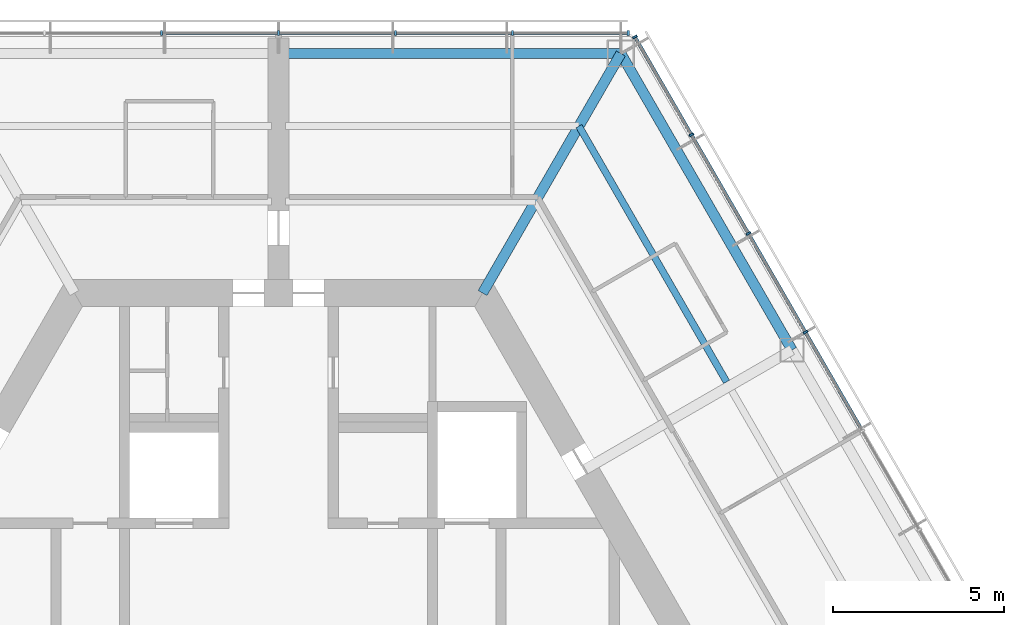
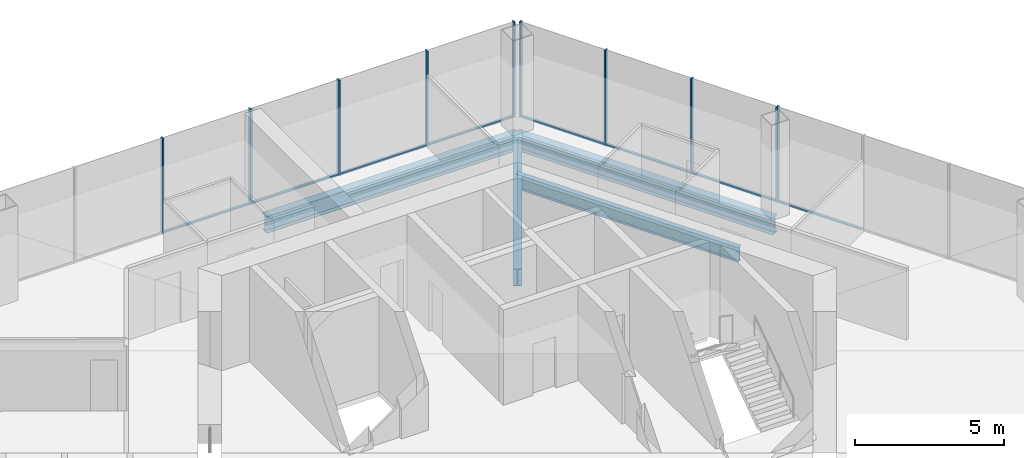
# One storey, part 7 of 16: 17 members, 4 beams, 2 elements without a shape of their own.
"""IFC4 building model written with IfcOpenShell, lengths in metres."""

from ifc_helpers import new_model, si_unit, direction, frame, origin, origin_2d, place, context, subcontext, project, spatial, rectangle, i_section, extrude, material, material_profile, profile_set, type_object, element, aggregate, save


model = new_model("IFC4")

# Units and contexts
model_context = context("Model", 3, precision=1e-05, world=origin(), true_north=direction((0.0, 1.0)))
body_context = subcontext(model_context, "Body", "Model", "MODEL_VIEW")
ifc_project = project(units=[si_unit("LENGTHUNIT", "METRE"), si_unit("AREAUNIT", "SQUARE_METRE"), si_unit("VOLUMEUNIT", "CUBIC_METRE"), si_unit("PLANEANGLEUNIT", "RADIAN"), si_unit("MASSUNIT", "GRAM", prefix="KILO")], contexts=[model_context])

# Site, building, storey
site_placement = place(None, origin())
site = spatial("IfcSite", under=ifc_project, at=site_placement, CompositionType="ELEMENT")
building_placement = place(site_placement, origin())
building = spatial("IfcBuilding", under=site, at=building_placement, Name="Kasaneha Research Tower", CompositionType="ELEMENT")
storey_placement = place(building_placement, frame((0.0, 0.0, 263.5)))
storey = spatial("IfcBuildingStorey", under=building, at=storey_placement, Name="L66", CompositionType="ELEMENT", Elevation=263.5)

# Beam
ifc_material_1 = material(Name="Steel SN490B", Category="steel")
ifc_material_profile_1 = material_profile(ifc_material_1, i_section(OverallWidth=0.199951171875, OverallDepth=0.60009765625, WebThickness=0.010986328125, FlangeThickness=0.01708984375, FilletRadius=0.012939453125, at=origin_2d()), Name="H-600x200x11x17")
ifc_profile_set_1 = profile_set([ifc_material_profile_1], Name="Steel SN490B")
beam_type_1 = type_object("IfcBeamType", Name="B1-3 secondary beam H-600x200x11x17", PredefinedType="JOIST", material=ifc_profile_set_1)
beam_1_placement = place(storey_placement, frame((8.775634765625, 15.199951171875, -0.449951171875), z_axis=(0.500017275495, -0.866015429543, 0.0), x_axis=(0.866015429543, 0.500017275495, 0.0)))
element("IfcBeam", 1, at=beam_1_placement, inside=storey, type_object=beam_type_1, Name="Secondary beam RS030R2 L66", PredefinedType="JOIST", context=body_context, shape_type="SweptSolid", body=[
    extrude(i_section(OverallWidth=0.199951171875, OverallDepth=0.60009765625, WebThickness=0.010986328125, FlangeThickness=0.01708984375, FilletRadius=0.012939453125, at=origin_2d()), origin(), (0.0, 0.0, 1.0), 8.625732421875),
])

# Curtain wall, members
ifc_material_2 = material(Name="Glass and aluminium", Category="aluminium")
curtain_wall_type = type_object("IfcCurtainWallType", Name="High-rise office curtain wall", PredefinedType="USERDEFINED", material=ifc_material_2)
curtain_wall_1_placement = place(storey_placement, origin())
curtain_wall_1 = element("IfcCurtainWall", 2, at=curtain_wall_1_placement, inside=storey, type_object=curtain_wall_type, Name="CW-O3 L66 run 01a", ObjectType="UNITISED CURTAIN WALL", PredefinedType="USERDEFINED")
ifc_material_3 = material(Name="Aluminium 6063-T6", Category="aluminium")
ifc_material_profile_2 = material_profile(ifc_material_3, rectangle(XDim=0.06005859375, YDim=0.139892578125, at=origin_2d()), Name="CW-O3 mullion 60x140")
ifc_profile_set_2 = profile_set([ifc_material_profile_2], Name="Aluminium 6063-T6")
member_type_1 = type_object("IfcMemberType", Name="CW-O3 mullion", PredefinedType="MULLION", material=ifc_profile_set_2)
member_1_placement = place(storey_placement, frame((15.392822265625, 9.179931640625, 0.0), z_axis=(0.0, 0.0, 1.0), x_axis=(-0.499999979232, 0.866025415775, 0.0)))
member_1 = element("IfcMember", 3, at=member_1_placement, type_object=member_type_1, Name="CW-O3 mullion 4", PredefinedType="MULLION", context=body_context, shape_type="SweptSolid", body=[
    extrude(rectangle(XDim=0.06005859375, YDim=0.139892578125, at=origin_2d()), origin(), (0.0, 0.0, 1.0), 3.89990234375),
])
member_2_placement = place(storey_placement, frame((13.727294921875, 12.064453125, 0.0), z_axis=(0.0, 0.0, 1.0), x_axis=(-0.499999979232, 0.866025415775, 0.0)))
member_2 = element("IfcMember", 4, at=member_2_placement, type_object=member_type_1, Name="CW-O3 mullion 5", PredefinedType="MULLION", context=body_context, shape_type="SweptSolid", body=[
    extrude(rectangle(XDim=0.06005859375, YDim=0.139892578125, at=origin_2d()), origin(), (0.0, 0.0, 1.0), 3.89990234375),
])
member_3_placement = place(storey_placement, frame((12.061767578125, 14.94921875, 0.0), z_axis=(0.0, 0.0, 1.0), x_axis=(-0.499999979232, 0.866025415775, 0.0)))
member_3 = element("IfcMember", 5, at=member_3_placement, type_object=member_type_1, Name="CW-O3 mullion 6", PredefinedType="MULLION", context=body_context, shape_type="SweptSolid", body=[
    extrude(rectangle(XDim=0.06005859375, YDim=0.139892578125, at=origin_2d()), origin(), (0.0, 0.0, 1.0), 3.89990234375),
])
member_4_placement = place(storey_placement, frame((10.411376953125, 17.807861328125, 0.0), z_axis=(0.0, 0.0, 1.0), x_axis=(-0.499999979232, 0.866025415775, 0.0)))
member_4 = element("IfcMember", 6, at=member_4_placement, type_object=member_type_1, Name="CW-O3 mullion 7", PredefinedType="MULLION", context=body_context, shape_type="SweptSolid", body=[
    extrude(rectangle(XDim=0.06005859375, YDim=0.139892578125, at=origin_2d()), origin(), (0.0, 0.0, 1.0), 3.89990234375),
])

curtain_wall_2_placement = place(storey_placement, origin())
curtain_wall_2 = element("IfcCurtainWall", 7, at=curtain_wall_2_placement, inside=storey, type_object=curtain_wall_type, Name="CW-O3 L66 run 02a", ObjectType="UNITISED CURTAIN WALL", PredefinedType="USERDEFINED")
member_5_placement = place(storey_placement, frame((10.21630859375, 17.92041015625, 0.0), z_axis=(0.0, 0.0, 1.0), x_axis=(-1.0, 0.0, 0.0)))
member_5 = element("IfcMember", 8, at=member_5_placement, type_object=member_type_1, Name="CW-O3 mullion 1", PredefinedType="MULLION", context=body_context, shape_type="SweptSolid", body=[
    extrude(rectangle(XDim=0.06005859375, YDim=0.139892578125, at=origin_2d()), origin(), (0.0, 0.0, 1.0), 3.89990234375),
])
member_6_placement = place(storey_placement, frame((6.8310546875, 17.92041015625, 0.0), z_axis=(0.0, 0.0, 1.0), x_axis=(-1.0, 0.0, 0.0)))
member_6 = element("IfcMember", 9, at=member_6_placement, type_object=member_type_1, Name="CW-O3 mullion 2", PredefinedType="MULLION", context=body_context, shape_type="SweptSolid", body=[
    extrude(rectangle(XDim=0.06005859375, YDim=0.139892578125, at=origin_2d()), origin(), (0.0, 0.0, 1.0), 3.89990234375),
])
member_7_placement = place(storey_placement, frame((3.41552734375, 17.92041015625, 0.0), z_axis=(0.0, 0.0, 1.0), x_axis=(-1.0, 0.0, 0.0)))
member_7 = element("IfcMember", 10, at=member_7_placement, type_object=member_type_1, Name="CW-O3 mullion 3", PredefinedType="MULLION", context=body_context, shape_type="SweptSolid", body=[
    extrude(rectangle(XDim=0.06005859375, YDim=0.139892578125, at=origin_2d()), origin(), (0.0, 0.0, 1.0), 3.89990234375),
])
member_8_placement = place(storey_placement, frame((0.0, 17.92041015625, 0.0), z_axis=(0.0, 0.0, 1.0), x_axis=(-1.0, 0.0, 0.0)))
member_8 = element("IfcMember", 11, at=member_8_placement, type_object=member_type_1, Name="CW-O3 mullion 4", PredefinedType="MULLION", context=body_context, shape_type="SweptSolid", body=[
    extrude(rectangle(XDim=0.06005859375, YDim=0.139892578125, at=origin_2d()), origin(), (0.0, 0.0, 1.0), 3.89990234375),
])
member_9_placement = place(storey_placement, frame((-3.41552734375, 17.92041015625, 0.0), z_axis=(0.0, 0.0, 1.0), x_axis=(-1.0, 0.0, 0.0)))
member_9 = element("IfcMember", 12, at=member_9_placement, type_object=member_type_1, Name="CW-O3 mullion 5", PredefinedType="MULLION", context=body_context, shape_type="SweptSolid", body=[
    extrude(rectangle(XDim=0.06005859375, YDim=0.139892578125, at=origin_2d()), origin(), (0.0, 0.0, 1.0), 3.89990234375),
])

# Member
ifc_material_4 = material(Name="Aluminium 6063-T6", Category="aluminium")
ifc_material_profile_3 = material_profile(ifc_material_4, rectangle(XDim=0.10009765625, YDim=0.06005859375, at=origin_2d()), Name="CW-O3 transom 100x60")
ifc_profile_set_3 = profile_set([ifc_material_profile_3], Name="Aluminium 6063-T6")
member_type_2 = type_object("IfcMemberType", Name="CW-O3 transom", PredefinedType="USERDEFINED", material=ifc_profile_set_3)
member_10_placement = place(storey_placement, frame((17.043212890625, 6.3212890625, 0.030029296875), z_axis=(-0.50003259116, 0.866006586452, 0.0), x_axis=(-0.866006586452, -0.50003259116, 0.0)))
member_10 = element("IfcMember", 13, at=member_10_placement, type_object=member_type_2, Name="CW-O3 transom 3", ObjectType="TRANSOM", PredefinedType="USERDEFINED", context=body_context, shape_type="SweptSolid", body=[
    extrude(rectangle(XDim=0.10009765625, YDim=0.06005859375, at=origin_2d()), origin(), (0.0, 0.0, 1.0), 3.270751953125),
])

member_11_placement = place(storey_placement, frame((15.3779296875, 9.205810546875, 0.030029296875), z_axis=(-0.500000270186, 0.866025247793, 0.0), x_axis=(-0.866025247793, -0.500000270186, 0.0)))
member_11 = element("IfcMember", 14, at=member_11_placement, type_object=member_type_2, Name="CW-O3 transom 4", ObjectType="TRANSOM", PredefinedType="USERDEFINED", context=body_context, shape_type="SweptSolid", body=[
    extrude(rectangle(XDim=0.10009765625, YDim=0.06005859375, at=origin_2d()), origin(), (0.0, 0.0, 1.0), 3.27099609375),
])

member_12_placement = place(storey_placement, frame((13.71240234375, 12.090576171875, 0.030029296875), z_axis=(-0.500000270186, 0.866025247793, 0.0), x_axis=(-0.866025247793, -0.500000270186, 0.0)))
member_12 = element("IfcMember", 15, at=member_12_placement, type_object=member_type_2, Name="CW-O3 transom 5", ObjectType="TRANSOM", PredefinedType="USERDEFINED", context=body_context, shape_type="SweptSolid", body=[
    extrude(rectangle(XDim=0.10009765625, YDim=0.06005859375, at=origin_2d()), origin(), (0.0, 0.0, 1.0), 3.27099609375),
])

member_13_placement = place(storey_placement, frame((12.046875, 14.97509765625, 0.030029296875), z_axis=(-0.499955025697, 0.866051368154, 0.0), x_axis=(-0.866051368154, -0.499955025697, 0.0)))
member_13 = element("IfcMember", 16, at=member_13_placement, type_object=member_type_2, Name="CW-O3 transom 6", ObjectType="TRANSOM", PredefinedType="USERDEFINED", context=body_context, shape_type="SweptSolid", body=[
    extrude(rectangle(XDim=0.10009765625, YDim=0.06005859375, at=origin_2d()), origin(), (0.0, 0.0, 1.0), 3.240966796875),
])

aggregate(curtain_wall_1, [member_1, member_2, member_3, member_4, member_10, member_11, member_12, member_13])

member_14_placement = place(storey_placement, frame((10.1865234375, 17.92041015625, 0.030029296875), z_axis=(-1.0, 0.0, 0.0), x_axis=(0.0, -1.0, 0.0)))
member_14 = element("IfcMember", 17, at=member_14_placement, type_object=member_type_2, Name="CW-O3 transom 1", ObjectType="TRANSOM", PredefinedType="USERDEFINED", context=body_context, shape_type="SweptSolid", body=[
    extrude(rectangle(XDim=0.10009765625, YDim=0.06005859375, at=origin_2d()), origin(), (0.0, 0.0, 1.0), 3.32568359375),
])

member_15_placement = place(storey_placement, frame((6.801025390625, 17.92041015625, 0.030029296875), z_axis=(-1.0, 0.0, 0.0), x_axis=(0.0, -1.0, 0.0)))
member_15 = element("IfcMember", 18, at=member_15_placement, type_object=member_type_2, Name="CW-O3 transom 2", ObjectType="TRANSOM", PredefinedType="USERDEFINED", context=body_context, shape_type="SweptSolid", body=[
    extrude(rectangle(XDim=0.10009765625, YDim=0.06005859375, at=origin_2d()), origin(), (0.0, 0.0, 1.0), 3.35546875),
])

member_16_placement = place(storey_placement, frame((3.385498046875, 17.92041015625, 0.030029296875), z_axis=(-1.0, 0.0, 0.0), x_axis=(0.0, -1.0, 0.0)))
member_16 = element("IfcMember", 19, at=member_16_placement, type_object=member_type_2, Name="CW-O3 transom 3", ObjectType="TRANSOM", PredefinedType="USERDEFINED", context=body_context, shape_type="SweptSolid", body=[
    extrude(rectangle(XDim=0.10009765625, YDim=0.06005859375, at=origin_2d()), origin(), (0.0, 0.0, 1.0), 3.35546875),
])

member_17_placement = place(storey_placement, frame((-0.030029296875, 17.92041015625, 0.030029296875), z_axis=(-1.0, 0.0, 0.0), x_axis=(0.0, -1.0, 0.0)))
member_17 = element("IfcMember", 20, at=member_17_placement, type_object=member_type_2, Name="CW-O3 transom 4", ObjectType="TRANSOM", PredefinedType="USERDEFINED", context=body_context, shape_type="SweptSolid", body=[
    extrude(rectangle(XDim=0.10009765625, YDim=0.06005859375, at=origin_2d()), origin(), (0.0, 0.0, 1.0), 3.35546875),
])

aggregate(curtain_wall_2, [member_5, member_6, member_7, member_8, member_9, member_14, member_15, member_16, member_17])

# Beams
ifc_material_5 = material(Name="Steel SN490B", Category="steel")
ifc_material_profile_4 = material_profile(ifc_material_5, i_section(OverallWidth=0.300048828125, OverallDepth=0.699951171875, WebThickness=0.012939453125, FlangeThickness=0.02392578125, FilletRadius=0.01806640625, at=origin_2d()), Name="H-700x300x13x24")
ifc_profile_set_4 = profile_set([ifc_material_profile_4], Name="Steel SN490B")
beam_type_2 = type_object("IfcBeamType", Name="G1-3 radial girder H-700x300x13x24", PredefinedType="BEAM", material=ifc_profile_set_4)
beam_2_placement = place(storey_placement, frame((5.961181640625, 10.324951171875, -0.5), z_axis=(0.49999105496, 0.866030568144, 0.0), x_axis=(-0.866030568144, 0.49999105496, 0.0)))
element("IfcBeam", 21, at=beam_2_placement, inside=storey, type_object=beam_type_2, Name="Radial girder RV060 L66", PredefinedType="BEAM", context=body_context, shape_type="SweptSolid", body=[
    extrude(i_section(OverallWidth=0.300048828125, OverallDepth=0.699951171875, WebThickness=0.012939453125, FlangeThickness=0.02392578125, FilletRadius=0.01806640625, at=origin_2d()), origin(), (0.0, 0.0, 1.0), 8.077880859375),
])
ifc_material_6 = material(Name="Steel SN490B", Category="steel")
ifc_material_profile_5 = material_profile(ifc_material_6, i_section(OverallWidth=0.300048828125, OverallDepth=0.69189453125, WebThickness=0.012939453125, FlangeThickness=0.02001953125, FilletRadius=0.01806640625, at=origin_2d()), Name="H-692x300x13x20")
ifc_profile_set_5 = profile_set([ifc_material_profile_5], Name="Steel SN490B")
beam_type_3 = type_object("IfcBeamType", Name="G3-3 plate edge girder H-692x300x13x20", PredefinedType="BEAM", material=ifc_profile_set_5)
beam_3_placement = place(storey_placement, frame((10.0, 17.320556640625, -0.49609375), z_axis=(-1.0, 0.0, 0.0), x_axis=(0.0, -1.0, 0.0)))
element("IfcBeam", 22, at=beam_3_placement, inside=storey, type_object=beam_type_3, Name="Plate edge girder PEAP L66", PredefinedType="BEAM", context=body_context, shape_type="SweptSolid", body=[
    extrude(i_section(OverallWidth=0.300048828125, OverallDepth=0.69189453125, WebThickness=0.012939453125, FlangeThickness=0.02001953125, FilletRadius=0.01806640625, at=origin_2d()), origin(), (0.0, 0.0, 1.0), 9.800048828125),
])
ifc_material_7 = material(Name="Steel SN490B", Category="steel")
ifc_material_profile_6 = material_profile(ifc_material_7, i_section(OverallWidth=0.300048828125, OverallDepth=0.69189453125, WebThickness=0.012939453125, FlangeThickness=0.02001953125, FilletRadius=0.01806640625, at=origin_2d()), Name="H-692x300x13x20")
ifc_profile_set_6 = profile_set([ifc_material_profile_6], Name="Steel SN490B")
beam_type_4 = type_object("IfcBeamType", Name="SB1-3 spandrel beam H-692x300x13x20", PredefinedType="SPANDREL", material=ifc_profile_set_6)
beam_4_placement = place(storey_placement, frame((10.0, 17.320556640625, -0.49609375), z_axis=(0.499993662806, -0.866029062534, 0.0), x_axis=(0.866029062534, 0.499993662806, 0.0)))
element("IfcBeam", 23, at=beam_4_placement, inside=storey, type_object=beam_type_4, Name="Spandrel beam SR030R L66", PredefinedType="SPANDREL", context=body_context, shape_type="SweptSolid", body=[
    extrude(i_section(OverallWidth=0.300048828125, OverallDepth=0.69189453125, WebThickness=0.012939453125, FlangeThickness=0.02001953125, FilletRadius=0.01806640625, at=origin_2d()), origin(), (0.0, 0.0, 1.0), 10.000244140625),
])

save(model, "model.ifc")
